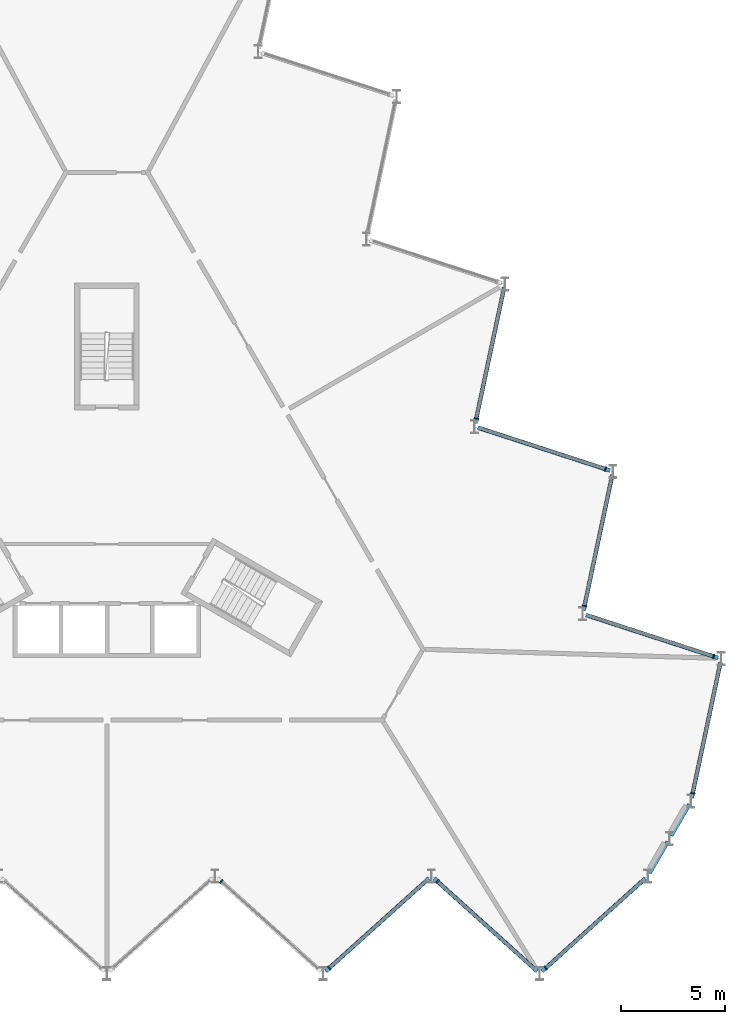
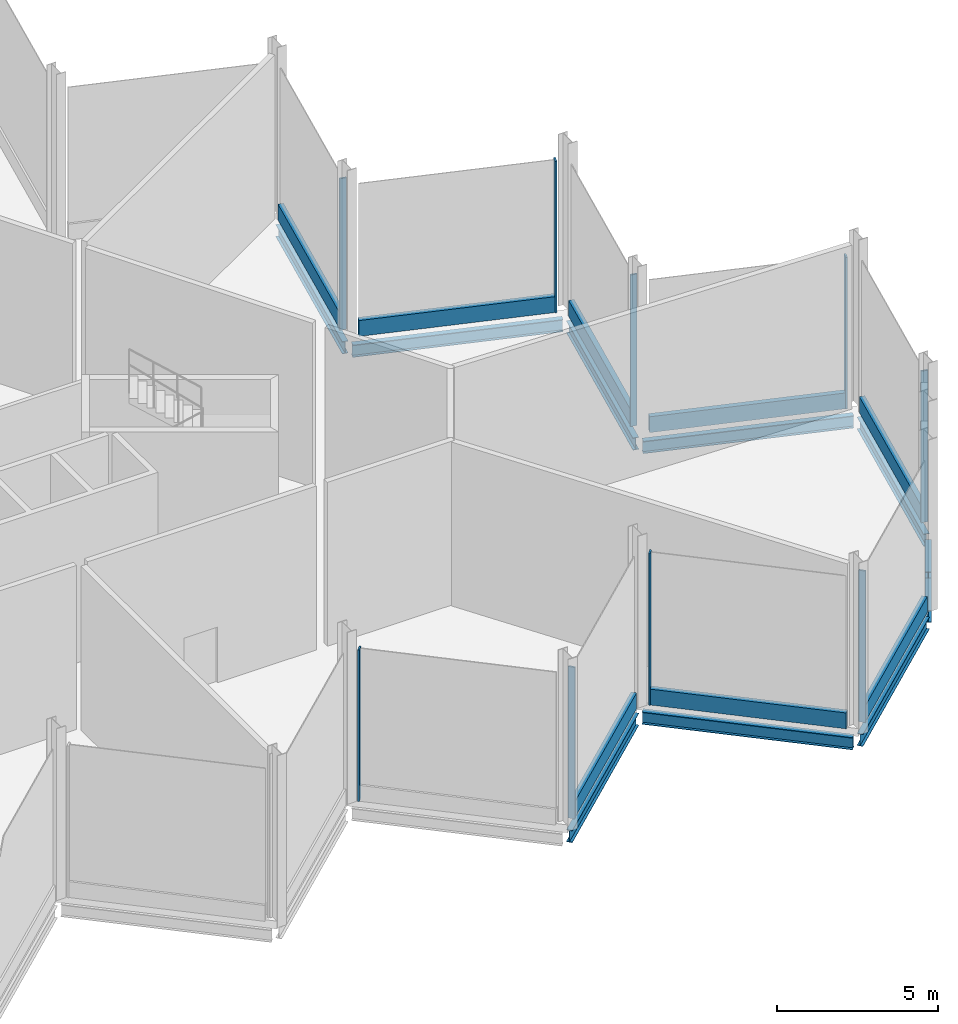
# One storey, part 6 of 12: 17 members, 10 beams, 9 elements without a shape of their own.
"""IFC4 building model written with IfcOpenShell, lengths in metres."""

from ifc_helpers import new_model, si_unit, direction, frame, origin, origin_2d, place, context, subcontext, project, spatial, rectangle, i_section, extrude, material, layer, layer_set, material_profile, profile_set, type_object, element, aggregate, save


model = new_model("IFC4")

# Units and contexts
model_context = context("Model", 3, precision=1e-05, world=origin(), true_north=direction((0.0, 1.0)))
body_context = subcontext(model_context, "Body", "Model", "MODEL_VIEW")
ifc_project = project(units=[si_unit("LENGTHUNIT", "METRE"), si_unit("AREAUNIT", "SQUARE_METRE"), si_unit("VOLUMEUNIT", "CUBIC_METRE"), si_unit("PLANEANGLEUNIT", "RADIAN"), si_unit("MASSUNIT", "GRAM", prefix="KILO")], contexts=[model_context])

# Site, building, storey
site_placement = place(None, origin())
site = spatial("IfcSite", under=ifc_project, at=site_placement, CompositionType="ELEMENT")
building_placement = place(site_placement, origin())
building = spatial("IfcBuilding", under=site, at=building_placement, Name="Cormorant Prow Tower", CompositionType="ELEMENT")
storey_placement = place(building_placement, frame((0.0, 0.0, 428.199951171875)))
storey = spatial("IfcBuildingStorey", under=building, at=storey_placement, Name="L96", CompositionType="ELEMENT", Elevation=428.199951171875)

# Curtain wall, member
ifc_material_1 = material(Name="Aluminium 6063-T6", Category="aluminium")
ifc_layer = layer(ifc_material_1, 0.219970703125)
ifc_layer_set = layer_set([ifc_layer], Name="Aluminium 6063-T6")
curtain_wall_type = type_object("IfcCurtainWallType", Name="Crown unitised curtain wall 220", PredefinedType="NOTDEFINED", material=ifc_layer_set)
curtain_wall_1_placement = place(storey_placement, origin())
curtain_wall_1 = element("IfcCurtainWall", 1, at=curtain_wall_1_placement, inside=storey, type_object=curtain_wall_type, Name="Crown curtain wall crown S06", PredefinedType="NOTDEFINED")
ifc_material_2 = material(Name="Aluminium 6063-T6", Category="aluminium")
ifc_material_profile_1 = material_profile(ifc_material_2, rectangle(XDim=0.219970703125, YDim=0.06005859375, at=origin_2d()), Name="Crown mullion 60x220")
ifc_profile_set_1 = profile_set([ifc_material_profile_1], Name="Aluminium 6063-T6")
member_type_1 = type_object("IfcMemberType", Name="Crown mullion 60x220", PredefinedType="MULLION", material=ifc_profile_set_1)
member_1_placement = place(storey_placement, frame((5.494384765625, -17.670654296875, 0.0), z_axis=(0.0, 0.0, 1.0), x_axis=(0.669130603959, 0.743144827638, 0.0)))
member_1 = element("IfcMember", 2, at=member_1_placement, type_object=member_type_1, Name="Crown mullion crown S06", PredefinedType="MULLION", context=body_context, shape_type="SweptSolid", body=[
    extrude(rectangle(XDim=0.219970703125, YDim=0.06005859375, at=origin_2d()), origin(), (0.0, 0.0, 1.0), 5.73388671875),
])
aggregate(curtain_wall_1, [member_1])

curtain_wall_2_placement = place(storey_placement, origin())
curtain_wall_2 = element("IfcCurtainWall", 3, at=curtain_wall_2_placement, inside=storey, type_object=curtain_wall_type, Name="Crown curtain wall crown S07", PredefinedType="NOTDEFINED")
member_2_placement = place(storey_placement, frame((10.6943359375, -21.82275390625, 0.0), z_axis=(0.0, 0.0, 1.0), x_axis=(-0.669130603959, 0.743144827638, 0.0)))
member_2 = element("IfcMember", 4, at=member_2_placement, type_object=member_type_1, Name="Crown mullion crown S07", PredefinedType="MULLION", context=body_context, shape_type="SweptSolid", body=[
    extrude(rectangle(XDim=0.219970703125, YDim=0.06005859375, at=origin_2d()), origin(), (0.0, 0.0, 1.0), 5.73388671875),
])

curtain_wall_3_placement = place(storey_placement, origin())
curtain_wall_3 = element("IfcCurtainWall", 5, at=curtain_wall_3_placement, inside=storey, type_object=curtain_wall_type, Name="Crown curtain wall crown S08", PredefinedType="NOTDEFINED")
member_3_placement = place(storey_placement, frame((15.894287109375, -17.670654296875, 0.0), z_axis=(0.0, 0.0, 1.0), x_axis=(0.669130603959, 0.743144827638, 0.0)))
member_3 = element("IfcMember", 6, at=member_3_placement, type_object=member_type_1, Name="Crown mullion crown S08", PredefinedType="MULLION", context=body_context, shape_type="SweptSolid", body=[
    extrude(rectangle(XDim=0.219970703125, YDim=0.06005859375, at=origin_2d()), origin(), (0.0, 0.0, 1.0), 5.73388671875),
])

curtain_wall_4_placement = place(storey_placement, origin())
curtain_wall_4 = element("IfcCurtainWall", 7, at=curtain_wall_4_placement, inside=storey, type_object=curtain_wall_type, Name="Crown curtain wall crown S09", PredefinedType="NOTDEFINED")
member_4_placement = place(storey_placement, frame((21.09423828125, -21.82275390625, 0.0), z_axis=(0.0, 0.0, 1.0), x_axis=(-0.669130603959, 0.743144827638, 0.0)))
member_4 = element("IfcMember", 8, at=member_4_placement, type_object=member_type_1, Name="Crown mullion crown S09", PredefinedType="MULLION", context=body_context, shape_type="SweptSolid", body=[
    extrude(rectangle(XDim=0.219970703125, YDim=0.06005859375, at=origin_2d()), origin(), (0.0, 0.0, 1.0), 5.73388671875),
])

curtain_wall_5_placement = place(storey_placement, origin())
curtain_wall_5 = element("IfcCurtainWall", 9, at=curtain_wall_5_placement, inside=storey, type_object=curtain_wall_type, Name="Crown curtain wall crown ENE00", PredefinedType="NOTDEFINED")
member_5_placement = place(storey_placement, frame((28.15625, -13.426513671875, 0.0), z_axis=(0.0, 0.0, 1.0), x_axis=(-0.978147615768, 0.207911620089, 0.0)))
member_5 = element("IfcMember", 10, at=member_5_placement, type_object=member_type_1, Name="Crown mullion crown ENE00", PredefinedType="MULLION", context=body_context, shape_type="SweptSolid", body=[
    extrude(rectangle(XDim=0.219970703125, YDim=0.06005859375, at=origin_2d()), origin(), (0.0, 0.0, 1.0), 5.73388671875),
])

curtain_wall_6_placement = place(storey_placement, origin())
curtain_wall_6 = element("IfcCurtainWall", 11, at=curtain_wall_6_placement, inside=storey, type_object=curtain_wall_type, Name="Crown curtain wall crown ENE01", PredefinedType="NOTDEFINED")
member_6_placement = place(storey_placement, frame((29.152099609375, -6.846923828125, 0.0), z_axis=(0.0, 0.0, 1.0), x_axis=(-0.309016937108, -0.951056534902, 0.0)))
member_6 = element("IfcMember", 12, at=member_6_placement, type_object=member_type_1, Name="Crown mullion crown ENE01", PredefinedType="MULLION", context=body_context, shape_type="SweptSolid", body=[
    extrude(rectangle(XDim=0.219970703125, YDim=0.06005859375, at=origin_2d()), origin(), (0.0, 0.0, 1.0), 5.73388671875),
])

curtain_wall_7_placement = place(storey_placement, origin())
curtain_wall_7 = element("IfcCurtainWall", 13, at=curtain_wall_7_placement, inside=storey, type_object=curtain_wall_type, Name="Crown curtain wall crown ENE02", PredefinedType="NOTDEFINED")
member_7_placement = place(storey_placement, frame((22.9560546875, -4.419677734375, 0.0), z_axis=(0.0, 0.0, 1.0), x_axis=(-0.978147615768, 0.207911620089, 0.0)))
member_7 = element("IfcMember", 14, at=member_7_placement, type_object=member_type_1, Name="Crown mullion crown ENE02", PredefinedType="MULLION", context=body_context, shape_type="SweptSolid", body=[
    extrude(rectangle(XDim=0.219970703125, YDim=0.06005859375, at=origin_2d()), origin(), (0.0, 0.0, 1.0), 5.73388671875),
])

curtain_wall_8_placement = place(storey_placement, origin())
curtain_wall_8 = element("IfcCurtainWall", 15, at=curtain_wall_8_placement, inside=storey, type_object=curtain_wall_type, Name="Crown curtain wall crown ENE03", PredefinedType="NOTDEFINED")
member_8_placement = place(storey_placement, frame((23.951904296875, 2.15966796875, 0.0), z_axis=(0.0, 0.0, 1.0), x_axis=(-0.309017066365, -0.951056492904, 0.0)))
member_8 = element("IfcMember", 16, at=member_8_placement, type_object=member_type_1, Name="Crown mullion crown ENE03", PredefinedType="MULLION", context=body_context, shape_type="SweptSolid", body=[
    extrude(rectangle(XDim=0.219970703125, YDim=0.06005859375, at=origin_2d()), origin(), (0.0, 0.0, 1.0), 5.73388671875),
])

curtain_wall_9_placement = place(storey_placement, origin())
curtain_wall_9 = element("IfcCurtainWall", 17, at=curtain_wall_9_placement, inside=storey, type_object=curtain_wall_type, Name="Crown curtain wall crown ENE04", PredefinedType="NOTDEFINED")
member_9_placement = place(storey_placement, frame((17.756103515625, 4.5869140625, 0.0), z_axis=(0.0, 0.0, 1.0), x_axis=(-0.978147609588, 0.207911649162, 0.0)))
member_9 = element("IfcMember", 18, at=member_9_placement, type_object=member_type_1, Name="Crown mullion crown ENE04", PredefinedType="MULLION", context=body_context, shape_type="SweptSolid", body=[
    extrude(rectangle(XDim=0.219970703125, YDim=0.06005859375, at=origin_2d()), origin(), (0.0, 0.0, 1.0), 5.73388671875),
])

# Beams
ifc_material_3 = material(Name="Structural steel ASTM A992 Gr 50", Category="steel")
ifc_material_profile_2 = material_profile(ifc_material_3, i_section(OverallWidth=0.19287109375, OverallDepth=0.466064453125, WebThickness=0.011474609375, FlangeThickness=0.01904296875, at=origin_2d()), Name="W18x65")
ifc_profile_set_2 = profile_set([ifc_material_profile_2], Name="Structural steel ASTM A992 Gr 50")
beam_type = type_object("IfcBeamType", Name="Crown ring beam W18x65", PredefinedType="SPANDREL", material=ifc_profile_set_2)
beam_1_placement = place(storey_placement, frame((10.521240234375, -21.978515625, -0.532958984375), z_axis=(0.743155826906, 0.669118387832, 0.0), x_axis=(-0.669118387832, 0.743155826906, 0.0)))
element("IfcBeam", 19, at=beam_1_placement, inside=storey, type_object=beam_type, Name="Crown ring beam SB5 S07-S08 L96", PredefinedType="SPANDREL", context=body_context, shape_type="SweptSolid", body=[
    extrude(i_section(OverallWidth=0.19287109375, OverallDepth=0.466064453125, WebThickness=0.011474609375, FlangeThickness=0.01904296875, at=origin_2d()), origin(), (0.0, 0.0, 1.0), 6.6708984375),
])
for number, where, z_axis, x_axis, name in (
    (20, (15.721435546875, -17.514892578125, -0.532958984375), (0.743139440672, -0.669136586743, 0.0), (0.669136586743, 0.743139440672, 0.0), "Crown ring beam SB5 S08-S09 L96"),
    (21, (20.92138671875, -21.978515625, -0.532958984375), (0.743139440672, 0.669136586743, 0.0), (-0.669136586743, 0.743139440672, 0.0), "Crown ring beam SB5 S09-ESE00 L96"),
):
    element("IfcBeam", number, at=place(storey_placement, frame(where, z_axis=z_axis, x_axis=x_axis)), inside=storey, type_object=beam_type, Name=name, PredefinedType="SPANDREL", context=body_context, shape_type="SweptSolid", body=[
        extrude(i_section(OverallWidth=0.19287109375, OverallDepth=0.466064453125, WebThickness=0.011474609375, FlangeThickness=0.01904296875, at=origin_2d()), origin(), (0.0, 0.0, 1.0), 6.670654296875),
    ])
for number, where, z_axis, x_axis, name in (
    (22, (26.08154296875, -17.264404296875, -0.532958984375), (0.500061095026, 0.865990127681, 0.0), (-0.865990127681, 0.500061095026, 0.0), "Crown ring beam SB5 ESE00-ESE01 L96"),
    (23, (27.118408203125, -15.46826171875, -0.532958984375), (0.500061095026, 0.865990127681, 0.0), (-0.865990127681, 0.500061095026, 0.0), "Crown ring beam SB5 ESE01-ENE00 L96"),
):
    element("IfcBeam", number, at=place(storey_placement, frame(where, z_axis=z_axis, x_axis=x_axis)), inside=storey, type_object=beam_type, Name=name, PredefinedType="SPANDREL", context=body_context, shape_type="SweptSolid", body=[
        extrude(i_section(OverallWidth=0.19287109375, OverallDepth=0.466064453125, WebThickness=0.011474609375, FlangeThickness=0.01904296875, at=origin_2d()), origin(), (0.0, 0.0, 1.0), 1.747314453125),
    ])
for number, where, z_axis, x_axis, name in (
    (24, (28.107666015625, -13.654052734375, -0.532958984375), (0.207919161079, 0.978146012851, 0.0), (-0.978146012851, 0.207919161079, 0.0), "Crown ring beam SB5 ENE00-ENE01 L96"),
    (25, (29.373291015625, -6.9189453125, -0.532958984375), (-0.95106042314, 0.309004970083, 0.0), (-0.309004970083, -0.95106042314, 0.0), "Crown ring beam SB5 ENE01-ENE02 L96"),
):
    element("IfcBeam", number, at=place(storey_placement, frame(where, z_axis=z_axis, x_axis=x_axis)), inside=storey, type_object=beam_type, Name=name, PredefinedType="SPANDREL", context=body_context, shape_type="SweptSolid", body=[
        extrude(i_section(OverallWidth=0.19287109375, OverallDepth=0.466064453125, WebThickness=0.011474609375, FlangeThickness=0.01904296875, at=origin_2d()), origin(), (0.0, 0.0, 1.0), 6.670654296875),
    ])
beam_2_placement = place(storey_placement, frame((22.90771484375, -4.6474609375, -0.532958984375), z_axis=(0.207911717999, 0.978147594956, 0.0), x_axis=(-0.978147594956, 0.207911717999, 0.0)))
element("IfcBeam", 26, at=beam_2_placement, inside=storey, type_object=beam_type, Name="Crown ring beam SB5 ENE02-ENE03 L96", PredefinedType="SPANDREL", context=body_context, shape_type="SweptSolid", body=[
    extrude(i_section(OverallWidth=0.19287109375, OverallDepth=0.466064453125, WebThickness=0.011474609375, FlangeThickness=0.01904296875, at=origin_2d()), origin(), (0.0, 0.0, 1.0), 6.6708984375),
])
beam_3_placement = place(storey_placement, frame((24.17333984375, 2.087646484375, -0.532958984375), z_axis=(-0.951049666898, 0.309038073858, 0.0), x_axis=(-0.309038073858, -0.951049666898, 0.0)))
element("IfcBeam", 27, at=beam_3_placement, inside=storey, type_object=beam_type, Name="Crown ring beam SB5 ENE03-ENE04 L96", PredefinedType="SPANDREL", context=body_context, shape_type="SweptSolid", body=[
    extrude(i_section(OverallWidth=0.19287109375, OverallDepth=0.466064453125, WebThickness=0.011474609375, FlangeThickness=0.01904296875, at=origin_2d()), origin(), (0.0, 0.0, 1.0), 6.670654296875),
])
beam_4_placement = place(storey_placement, frame((17.707763671875, 4.359130859375, -0.532958984375), z_axis=(0.207911717999, 0.978147594956, 0.0), x_axis=(-0.978147594956, 0.207911717999, 0.0)))
element("IfcBeam", 28, at=beam_4_placement, inside=storey, type_object=beam_type, Name="Crown ring beam SB5 ENE04-ENE05 L96", PredefinedType="SPANDREL", context=body_context, shape_type="SweptSolid", body=[
    extrude(i_section(OverallWidth=0.19287109375, OverallDepth=0.466064453125, WebThickness=0.011474609375, FlangeThickness=0.01904296875, at=origin_2d()), origin(), (0.0, 0.0, 1.0), 6.6708984375),
])

# Member
ifc_material_4 = material(Name="Terracotta", Category="masonry")
ifc_material_profile_3 = material_profile(ifc_material_4, rectangle(XDim=0.179931640625, YDim=0.60009765625, at=origin_2d()), Name="Crown terracotta spandrel rail 180x600")
ifc_profile_set_3 = profile_set([ifc_material_profile_3], Name="Terracotta")
member_type_2 = type_object("IfcMemberType", Name="Crown terracotta spandrel rail 180x600", PredefinedType="USERDEFINED", material=ifc_profile_set_3)
member_10_placement = place(storey_placement, frame((10.716552734375, -21.802734375, 0.300048828125), z_axis=(0.743159145999, 0.669114701466, 0.0), x_axis=(-0.669114701466, 0.743159145999, 0.0)))
member_10 = element("IfcMember", 29, at=member_10_placement, type_object=member_type_2, Name="Crown spandrel rail crown S07", ObjectType="TRANSOM", PredefinedType="USERDEFINED", context=body_context, shape_type="SweptSolid", body=[
    extrude(rectangle(XDim=0.179931640625, YDim=0.60009765625, at=origin_2d()), origin(), (0.0, 0.0, 1.0), 6.205322265625),
])

aggregate(curtain_wall_2, [member_2, member_10])

member_11_placement = place(storey_placement, frame((15.91650390625, -17.690673828125, 0.300048828125), z_axis=(0.743139582304, -0.669136429447, 0.0), x_axis=(0.669136429447, 0.743139582304, 0.0)))
member_11 = element("IfcMember", 30, at=member_11_placement, type_object=member_type_2, Name="Crown spandrel rail crown S08", ObjectType="TRANSOM", PredefinedType="USERDEFINED", context=body_context, shape_type="SweptSolid", body=[
    extrude(rectangle(XDim=0.179931640625, YDim=0.60009765625, at=origin_2d()), origin(), (0.0, 0.0, 1.0), 6.20556640625),
])

aggregate(curtain_wall_3, [member_3, member_11])

member_12_placement = place(storey_placement, frame((21.11669921875, -21.802734375, 0.300048828125), z_axis=(0.743141530577, 0.669134265699, 0.0), x_axis=(-0.669134265699, 0.743141530577, 0.0)))
member_12 = element("IfcMember", 31, at=member_12_placement, type_object=member_type_2, Name="Crown spandrel rail crown S09", ObjectType="TRANSOM", PredefinedType="USERDEFINED", context=body_context, shape_type="SweptSolid", body=[
    extrude(rectangle(XDim=0.179931640625, YDim=0.60009765625, at=origin_2d()), origin(), (0.0, 0.0, 1.0), 6.205078125),
])

aggregate(curtain_wall_4, [member_4, member_12])

member_13_placement = place(storey_placement, frame((28.162353515625, -13.397216796875, 0.300048828125), z_axis=(0.207927454003, 0.978144250033, 0.0), x_axis=(-0.978144250033, 0.207927454003, 0.0)))
member_13 = element("IfcMember", 32, at=member_13_placement, type_object=member_type_2, Name="Crown spandrel rail crown ENE00", ObjectType="TRANSOM", PredefinedType="USERDEFINED", context=body_context, shape_type="SweptSolid", body=[
    extrude(rectangle(XDim=0.179931640625, YDim=0.60009765625, at=origin_2d()), origin(), (0.0, 0.0, 1.0), 6.20556640625),
])

aggregate(curtain_wall_5, [member_5, member_13])

member_14_placement = place(storey_placement, frame((29.12353515625, -6.837890625, 0.300048828125), z_axis=(-0.951048234918, 0.309042480672, 0.0), x_axis=(-0.309042480672, -0.951048234918, 0.0)))
member_14 = element("IfcMember", 33, at=member_14_placement, type_object=member_type_2, Name="Crown spandrel rail crown ENE01", ObjectType="TRANSOM", PredefinedType="USERDEFINED", context=body_context, shape_type="SweptSolid", body=[
    extrude(rectangle(XDim=0.179931640625, YDim=0.60009765625, at=origin_2d()), origin(), (0.0, 0.0, 1.0), 6.205322265625),
])

aggregate(curtain_wall_6, [member_6, member_14])

member_15_placement = place(storey_placement, frame((22.96240234375, -4.390380859375, 0.300048828125), z_axis=(0.207897812215, 0.978150550619, 0.0), x_axis=(-0.978150550619, 0.207897812215, 0.0)))
member_15 = element("IfcMember", 34, at=member_15_placement, type_object=member_type_2, Name="Crown spandrel rail crown ENE02", ObjectType="TRANSOM", PredefinedType="USERDEFINED", context=body_context, shape_type="SweptSolid", body=[
    extrude(rectangle(XDim=0.179931640625, YDim=0.60009765625, at=origin_2d()), origin(), (0.0, 0.0, 1.0), 6.205078125),
])

aggregate(curtain_wall_7, [member_7, member_15])

member_16_placement = place(storey_placement, frame((23.923583984375, 2.1689453125, 0.300048828125), z_axis=(-0.951059797983, 0.309006894194, 0.0), x_axis=(-0.309006894194, -0.951059797983, 0.0)))
member_16 = element("IfcMember", 35, at=member_16_placement, type_object=member_type_2, Name="Crown spandrel rail crown ENE03", ObjectType="TRANSOM", PredefinedType="USERDEFINED", context=body_context, shape_type="SweptSolid", body=[
    extrude(rectangle(XDim=0.179931640625, YDim=0.60009765625, at=origin_2d()), origin(), (0.0, 0.0, 1.0), 6.205322265625),
])

aggregate(curtain_wall_8, [member_8, member_16])

member_17_placement = place(storey_placement, frame((17.762451171875, 4.6162109375, 0.300048828125), z_axis=(0.207897812215, 0.978150550619, 0.0), x_axis=(-0.978150550619, 0.207897812215, 0.0)))
member_17 = element("IfcMember", 36, at=member_17_placement, type_object=member_type_2, Name="Crown spandrel rail crown ENE04", ObjectType="TRANSOM", PredefinedType="USERDEFINED", context=body_context, shape_type="SweptSolid", body=[
    extrude(rectangle(XDim=0.179931640625, YDim=0.60009765625, at=origin_2d()), origin(), (0.0, 0.0, 1.0), 6.205078125),
])

aggregate(curtain_wall_9, [member_9, member_17])

save(model, "model.ifc")
